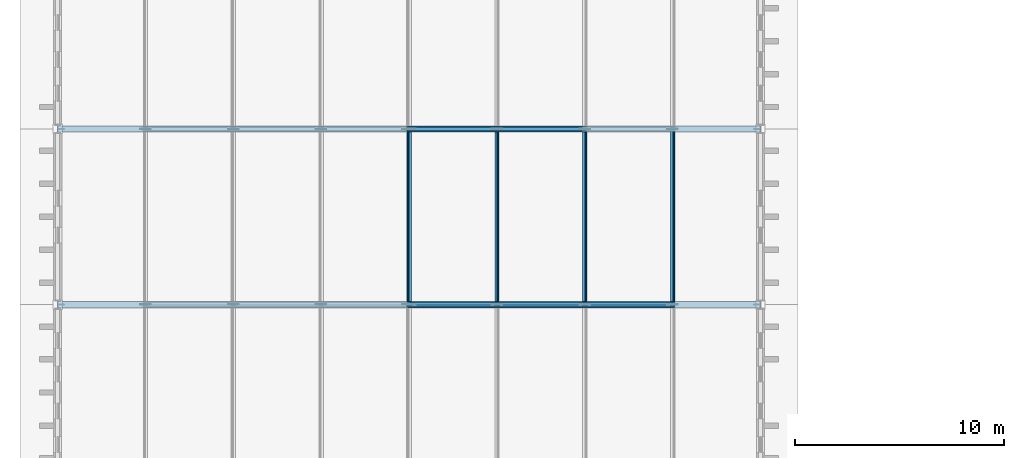
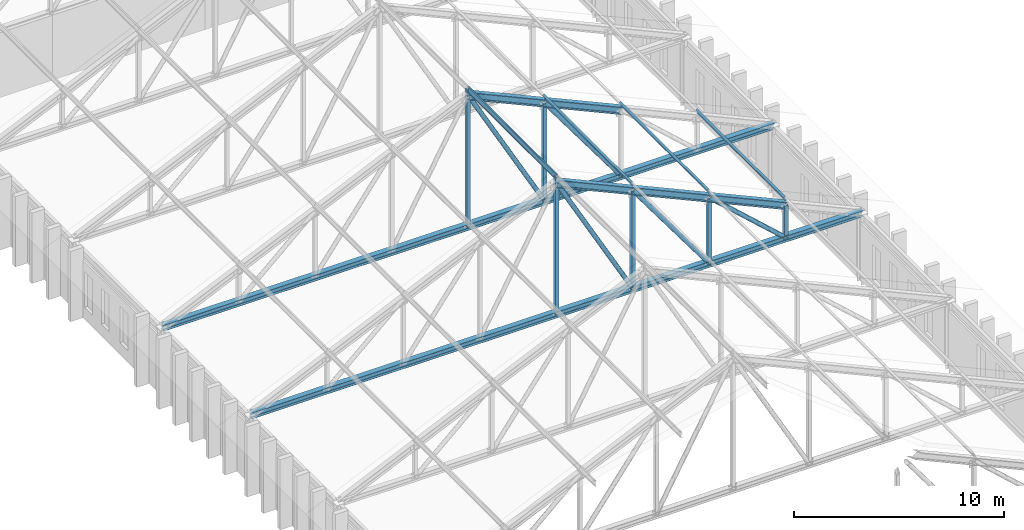
# One storey, part 11 of 110: 22 members.
"""IFC4 building model written with IfcOpenShell, lengths in metres."""

from ifc_helpers import new_model, si_unit, direction, frame, origin, origin_2d, place, context, subcontext, project, spatial, hollow_rectangle, hollow_circle, i_section, extrude, material, material_profile, profile_set, type_object, element, save


model = new_model("IFC4")

# Units and contexts
model_context = context("Model", 3, precision=1e-05, world=origin(), true_north=direction((0.0, 1.0)))
body_context = subcontext(model_context, "Body", "Model", "MODEL_VIEW")
ifc_project = project(units=[si_unit("LENGTHUNIT", "METRE"), si_unit("AREAUNIT", "SQUARE_METRE"), si_unit("VOLUMEUNIT", "CUBIC_METRE"), si_unit("PLANEANGLEUNIT", "RADIAN"), si_unit("MASSUNIT", "GRAM", prefix="KILO")], contexts=[model_context])

# Site, building, storey
site_placement = place(None, origin())
site = spatial("IfcSite", under=ifc_project, at=site_placement, CompositionType="ELEMENT")
building_placement = place(site_placement, origin())
building = spatial("IfcBuilding", under=site, at=building_placement, Name="Kveldsbrygga Polytechnic", CompositionType="ELEMENT")
storey_placement = place(building_placement, frame((0.0, 0.0, 9.860107421875)))
storey = spatial("IfcBuildingStorey", under=building, at=storey_placement, Name="L02", CompositionType="ELEMENT", Elevation=9.860107421875)

# Members
ifc_material = material(Name="Steel S355", Category="steel")
ifc_material_profile_1 = material_profile(ifc_material, i_section(OverallWidth=0.1201171875, OverallDepth=0.239990234375, WebThickness=0.006103515625, FlangeThickness=0.009765625, FilletRadius=0.014892578125, at=origin_2d()), Name="IPE 240")
ifc_profile_set_1 = profile_set([ifc_material_profile_1], Name="Steel S355")
member_type_1 = type_object("IfcMemberType", Name="PRL-IPE240", PredefinedType="PURLIN", material=ifc_profile_set_1)
for number, where, z_axis, x_axis, name in (
    (1, (16.800048828125, 50.39990234375, 11.731201171875), (0.0, 1.0, 0.0), (-0.911107850446, 0.0, 0.41216802988), "Roof Purlin V1W-PRL-4-4"),
    (2, (21.0, 50.39990234375, 9.8310546875), (0.0, 1.0, 0.0), (-0.911107850446, 0.0, -0.41216802988), "Roof Purlin V1W-PRL-4-5"),
    (3, (25.199951171875, 50.39990234375, 7.93115234375), (0.0, 1.0, 0.0), (-0.911107850446, 0.0, -0.41216802988), "Roof Purlin V1W-PRL-4-6"),
    (4, (29.39990234375, 50.39990234375, 6.031005859375), (0.0, 1.0, 0.0), (-0.911107850446, 0.0, -0.41216802988), "Roof Purlin V1W-PRL-4-7"),
):
    element("IfcMember", number, at=place(storey_placement, frame(where, z_axis=z_axis, x_axis=x_axis)), inside=storey, type_object=member_type_1, Name=name, PredefinedType="PURLIN", context=body_context, shape_type="SweptSolid", body=[
        extrude(i_section(OverallWidth=0.1201171875, OverallDepth=0.239990234375, WebThickness=0.006103515625, FlangeThickness=0.009765625, FilletRadius=0.014892578125, at=origin_2d()), origin(), (0.0, 0.0, 1.0), 8.400146484375),
    ])
ifc_material_profile_2 = material_profile(ifc_material, i_section(OverallWidth=0.300048828125, OverallDepth=0.35009765625, WebThickness=0.010009765625, FlangeThickness=0.017578125, FilletRadius=0.027099609375, at=origin_2d()), Name="HEA 360")
ifc_profile_set_2 = profile_set([ifc_material_profile_2], Name="Steel S355")
member_type_2 = type_object("IfcMemberType", Name="TR-BOT-HEA360", PredefinedType="CHORD", material=ifc_profile_set_2)
for number, where, z_axis, x_axis, name in (
    (5, (0.0, 50.39990234375, 3.77978515625), (1.0, 0.0, 0.0), (0.0, 1.0, 0.0), "Truss Bottom Chord V1W-T04-BC-1"),
    (6, (0.0, 58.800048828125, 3.77978515625), (1.0, 0.0, 0.0), (0.0, 1.0, 0.0), "Truss Bottom Chord V1W-T05-BC-1"),
):
    element("IfcMember", number, at=place(storey_placement, frame(where, z_axis=z_axis, x_axis=x_axis)), inside=storey, type_object=member_type_2, Name=name, PredefinedType="CHORD", context=body_context, shape_type="SweptSolid", body=[
        extrude(i_section(OverallWidth=0.300048828125, OverallDepth=0.35009765625, WebThickness=0.010009765625, FlangeThickness=0.017578125, FilletRadius=0.027099609375, at=origin_2d()), origin(), (0.0, 0.0, 1.0), 33.60009765625),
    ])
ifc_material_profile_3 = material_profile(ifc_material, hollow_circle(Radius=0.122314453125, WallThickness=0.012451171875, at=origin_2d()), Name="CHS 244.5x12.5")
ifc_profile_set_3 = profile_set([ifc_material_profile_3], Name="Steel S355")
member_type_3 = type_object("IfcMemberType", Name="TR-DIAG-CHS245", PredefinedType="BRACE", material=ifc_profile_set_3)
member_1_placement = place(storey_placement, frame((16.800048828125, 50.39990234375, 11.3798828125), z_axis=(0.483677042996, 0.0, -0.875246547025), x_axis=(0.0, 1.0, 0.0)))
element("IfcMember", 7, at=member_1_placement, inside=storey, type_object=member_type_3, Name="Truss Diagonal V1W-T04-DG-5", PredefinedType="BRACE", context=body_context, shape_type="SweptSolid", body=[
    extrude(hollow_circle(Radius=0.122314453125, WallThickness=0.012451171875, at=origin_2d()), origin(), (0.0, 0.0, 1.0), 8.683349609375),
])
member_2_placement = place(storey_placement, frame((21.0, 50.39990234375, 9.47998046875), z_axis=(0.593181394885, 0.0, -0.805068837282), x_axis=(0.0, 1.0, 0.0)))
element("IfcMember", 8, at=member_2_placement, inside=storey, type_object=member_type_3, Name="Truss Diagonal V1W-T04-DG-6", PredefinedType="BRACE", context=body_context, shape_type="SweptSolid", body=[
    extrude(hollow_circle(Radius=0.122314453125, WallThickness=0.012451171875, at=origin_2d()), origin(), (0.0, 0.0, 1.0), 7.080322265625),
])
member_3_placement = place(storey_placement, frame((25.199951171875, 50.39990234375, 7.579833984375), z_axis=(0.741527609628, 0.0, -0.670922353302), x_axis=(0.0, 1.0, 0.0)))
element("IfcMember", 9, at=member_3_placement, inside=storey, type_object=member_type_3, Name="Truss Diagonal V1W-T04-DG-7", PredefinedType="BRACE", context=body_context, shape_type="SweptSolid", body=[
    extrude(hollow_circle(Radius=0.122314453125, WallThickness=0.012451171875, at=origin_2d()), origin(), (0.0, 0.0, 1.0), 5.663818359375),
])
member_4_placement = place(storey_placement, frame((16.800048828125, 58.800048828125, 11.3798828125), z_axis=(0.483677042996, 0.0, -0.875246547025), x_axis=(0.0, 1.0, 0.0)))
element("IfcMember", 10, at=member_4_placement, inside=storey, type_object=member_type_3, Name="Truss Diagonal V1W-T05-DG-5", PredefinedType="BRACE", context=body_context, shape_type="SweptSolid", body=[
    extrude(hollow_circle(Radius=0.122314453125, WallThickness=0.012451171875, at=origin_2d()), origin(), (0.0, 0.0, 1.0), 8.683349609375),
])
member_5_placement = place(storey_placement, frame((21.0, 58.800048828125, 9.47998046875), z_axis=(0.593181394885, 0.0, -0.805068837282), x_axis=(0.0, 1.0, 0.0)))
element("IfcMember", 11, at=member_5_placement, inside=storey, type_object=member_type_3, Name="Truss Diagonal V1W-T05-DG-6", PredefinedType="BRACE", context=body_context, shape_type="SweptSolid", body=[
    extrude(hollow_circle(Radius=0.122314453125, WallThickness=0.012451171875, at=origin_2d()), origin(), (0.0, 0.0, 1.0), 7.080322265625),
])
ifc_material_profile_4 = material_profile(ifc_material, hollow_rectangle(XDim=0.199951171875, YDim=0.199951171875, WallThickness=0.012451171875, at=origin_2d()), Name="SHS 200x200x12.5")
ifc_profile_set_4 = profile_set([ifc_material_profile_4], Name="Steel S355")
member_type_4 = type_object("IfcMemberType", Name="TR-POST-SHS200", PredefinedType="STRUT", material=ifc_profile_set_4)
member_6_placement = place(storey_placement, frame((16.800048828125, 50.39990234375, 3.77978515625), z_axis=(0.0, 0.0, 1.0), x_axis=(1.0, 0.0, 0.0)))
element("IfcMember", 12, at=member_6_placement, inside=storey, type_object=member_type_4, Name="Truss Vertical V1W-T04-VT-4", PredefinedType="STRUT", context=body_context, shape_type="SweptSolid", body=[
    extrude(hollow_rectangle(XDim=0.199951171875, YDim=0.199951171875, WallThickness=0.012451171875, at=origin_2d()), origin(), (0.0, 0.0, 1.0), 7.951416015625),
])
member_7_placement = place(storey_placement, frame((21.0, 50.39990234375, 3.77978515625), z_axis=(0.0, 0.0, 1.0), x_axis=(1.0, 0.0, 0.0)))
element("IfcMember", 13, at=member_7_placement, inside=storey, type_object=member_type_4, Name="Truss Vertical V1W-T04-VT-5", PredefinedType="STRUT", context=body_context, shape_type="SweptSolid", body=[
    extrude(hollow_rectangle(XDim=0.199951171875, YDim=0.199951171875, WallThickness=0.012451171875, at=origin_2d()), origin(), (0.0, 0.0, 1.0), 5.7001953125),
])
member_8_placement = place(storey_placement, frame((25.199951171875, 50.39990234375, 3.77978515625), z_axis=(0.0, 0.0, 1.0), x_axis=(1.0, 0.0, 0.0)))
element("IfcMember", 14, at=member_8_placement, inside=storey, type_object=member_type_4, Name="Truss Vertical V1W-T04-VT-6", PredefinedType="STRUT", context=body_context, shape_type="SweptSolid", body=[
    extrude(hollow_rectangle(XDim=0.199951171875, YDim=0.199951171875, WallThickness=0.012451171875, at=origin_2d()), origin(), (0.0, 0.0, 1.0), 3.800048828125),
])
member_9_placement = place(storey_placement, frame((29.39990234375, 50.39990234375, 3.77978515625), z_axis=(0.0, 0.0, 1.0), x_axis=(1.0, 0.0, 0.0)))
element("IfcMember", 15, at=member_9_placement, inside=storey, type_object=member_type_4, Name="Truss Vertical V1W-T04-VT-7", PredefinedType="STRUT", context=body_context, shape_type="SweptSolid", body=[
    extrude(hollow_rectangle(XDim=0.199951171875, YDim=0.199951171875, WallThickness=0.012451171875, at=origin_2d()), origin(), (0.0, 0.0, 1.0), 1.900146484375),
])
member_10_placement = place(storey_placement, frame((16.800048828125, 58.800048828125, 3.77978515625), z_axis=(0.0, 0.0, 1.0), x_axis=(1.0, 0.0, 0.0)))
element("IfcMember", 16, at=member_10_placement, inside=storey, type_object=member_type_4, Name="Truss Vertical V1W-T05-VT-4", PredefinedType="STRUT", context=body_context, shape_type="SweptSolid", body=[
    extrude(hollow_rectangle(XDim=0.199951171875, YDim=0.199951171875, WallThickness=0.012451171875, at=origin_2d()), origin(), (0.0, 0.0, 1.0), 7.951416015625),
])
member_11_placement = place(storey_placement, frame((21.0, 58.800048828125, 3.77978515625), z_axis=(0.0, 0.0, 1.0), x_axis=(1.0, 0.0, 0.0)))
element("IfcMember", 17, at=member_11_placement, inside=storey, type_object=member_type_4, Name="Truss Vertical V1W-T05-VT-5", PredefinedType="STRUT", context=body_context, shape_type="SweptSolid", body=[
    extrude(hollow_rectangle(XDim=0.199951171875, YDim=0.199951171875, WallThickness=0.012451171875, at=origin_2d()), origin(), (0.0, 0.0, 1.0), 5.7001953125),
])
ifc_material_profile_5 = material_profile(ifc_material, i_section(OverallWidth=0.300048828125, OverallDepth=0.39990234375, WebThickness=0.013427734375, FlangeThickness=0.02392578125, FilletRadius=0.027099609375, at=origin_2d()), Name="HEB 400")
ifc_profile_set_5 = profile_set([ifc_material_profile_5], Name="Steel S355")
member_type_5 = type_object("IfcMemberType", Name="TR-TOP-HEB400", PredefinedType="CHORD", material=ifc_profile_set_5)
member_12_placement = place(storey_placement, frame((16.800048828125, 50.39990234375, 11.3798828125), z_axis=(0.91111407885, 0.0, -0.41215426156), x_axis=(0.0, 1.0, 0.0)))
element("IfcMember", 18, at=member_12_placement, inside=storey, type_object=member_type_5, Name="Truss Top Chord V1W-T04-TC-5", PredefinedType="CHORD", context=body_context, shape_type="SweptSolid", body=[
    extrude(i_section(OverallWidth=0.300048828125, OverallDepth=0.39990234375, WebThickness=0.013427734375, FlangeThickness=0.02392578125, FilletRadius=0.027099609375, at=origin_2d()), origin(), (0.0, 0.0, 1.0), 4.609619140625),
])
member_13_placement = place(storey_placement, frame((21.0, 50.39990234375, 9.47998046875), z_axis=(0.911094189765, 0.0, -0.412198225829), x_axis=(0.0, 1.0, 0.0)))
element("IfcMember", 19, at=member_13_placement, inside=storey, type_object=member_type_5, Name="Truss Top Chord V1W-T04-TC-6", PredefinedType="CHORD", context=body_context, shape_type="SweptSolid", body=[
    extrude(i_section(OverallWidth=0.300048828125, OverallDepth=0.39990234375, WebThickness=0.013427734375, FlangeThickness=0.02392578125, FilletRadius=0.027099609375, at=origin_2d()), origin(), (0.0, 0.0, 1.0), 4.60986328125),
])
for number, where, z_axis, x_axis, name in (
    (20, (25.199951171875, 50.39990234375, 7.579833984375), (0.91111407885, 0.0, -0.41215426156), (0.0, 1.0, 0.0), "Truss Top Chord V1W-T04-TC-7"),
    (21, (16.800048828125, 58.800048828125, 11.3798828125), (0.91111407885, 0.0, -0.41215426156), (0.0, 1.0, 0.0), "Truss Top Chord V1W-T05-TC-5"),
):
    element("IfcMember", number, at=place(storey_placement, frame(where, z_axis=z_axis, x_axis=x_axis)), inside=storey, type_object=member_type_5, Name=name, PredefinedType="CHORD", context=body_context, shape_type="SweptSolid", body=[
        extrude(i_section(OverallWidth=0.300048828125, OverallDepth=0.39990234375, WebThickness=0.013427734375, FlangeThickness=0.02392578125, FilletRadius=0.027099609375, at=origin_2d()), origin(), (0.0, 0.0, 1.0), 4.609619140625),
    ])
member_14_placement = place(storey_placement, frame((21.0, 58.800048828125, 9.47998046875), z_axis=(0.911094189765, 0.0, -0.412198225829), x_axis=(0.0, 1.0, 0.0)))
element("IfcMember", 22, at=member_14_placement, inside=storey, type_object=member_type_5, Name="Truss Top Chord V1W-T05-TC-6", PredefinedType="CHORD", context=body_context, shape_type="SweptSolid", body=[
    extrude(i_section(OverallWidth=0.300048828125, OverallDepth=0.39990234375, WebThickness=0.013427734375, FlangeThickness=0.02392578125, FilletRadius=0.027099609375, at=origin_2d()), origin(), (0.0, 0.0, 1.0), 4.60986328125),
])

save(model, "model.ifc")
